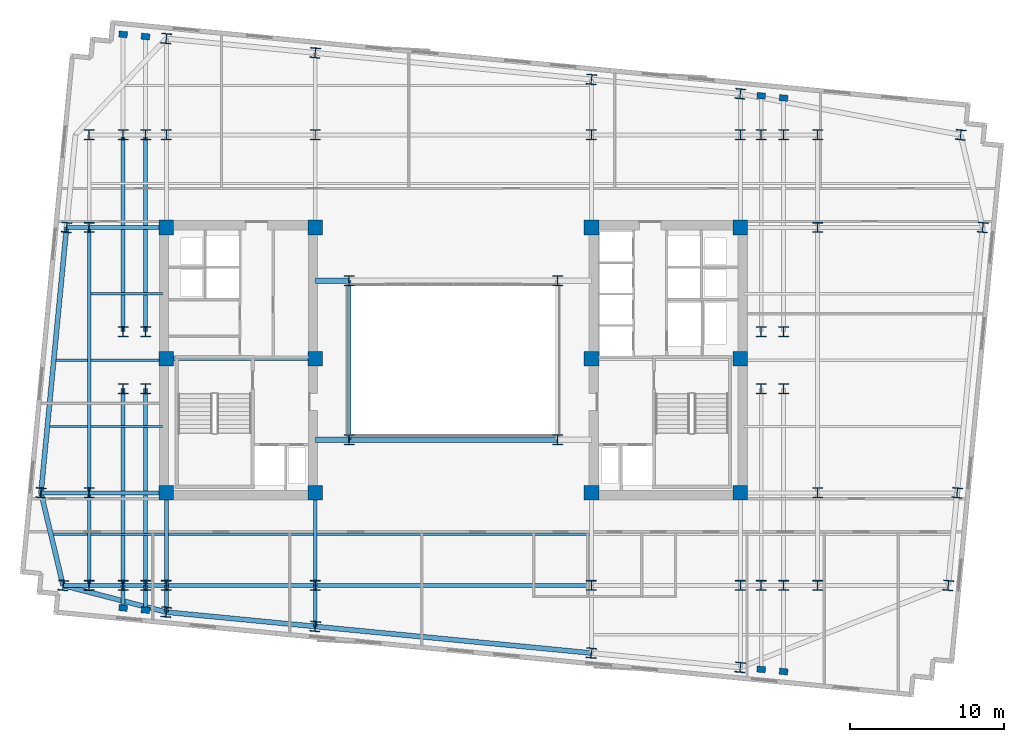
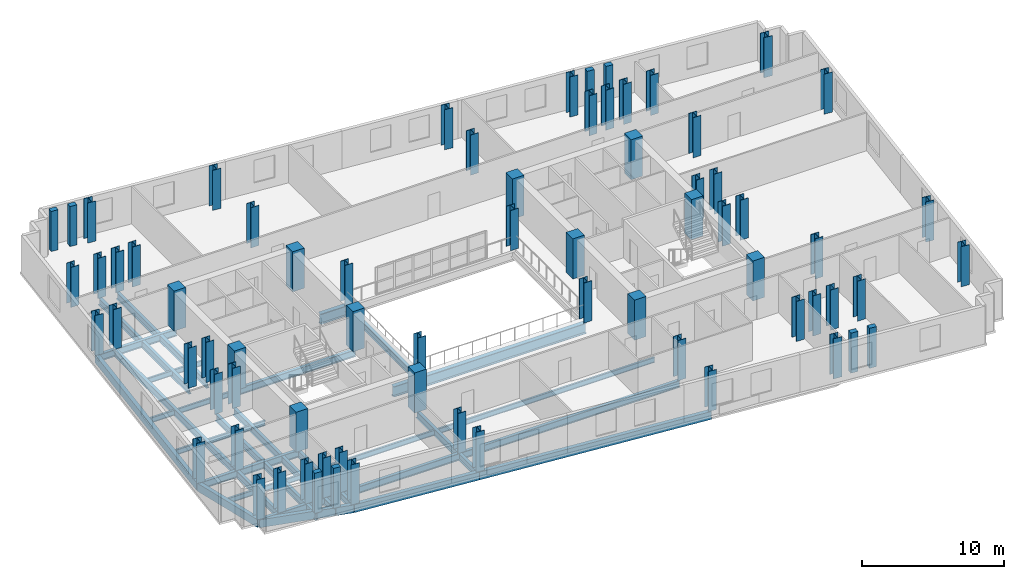
# One storey, part 1 of 10: 71 columns, 39 beams.
"""IFC4 building model written with IfcOpenShell, lengths in metres."""

from ifc_helpers import new_model, si_unit, direction, frame, origin, origin_2d, place, context, subcontext, project, spatial, rectangle, i_section, extrude, material, material_profile, profile_set, type_object, element, save


model = new_model("IFC4")

# Units and contexts
model_context = context("Model", 3, precision=1e-05, world=origin(), true_north=direction((0.0, 1.0)))
body_context = subcontext(model_context, "Body", "Model", "MODEL_VIEW")
ifc_project = project(units=[si_unit("LENGTHUNIT", "METRE"), si_unit("AREAUNIT", "SQUARE_METRE"), si_unit("VOLUMEUNIT", "CUBIC_METRE"), si_unit("PLANEANGLEUNIT", "RADIAN"), si_unit("MASSUNIT", "GRAM", prefix="KILO")], contexts=[model_context])

# Site, building, storey
site_placement = place(None, origin())
site = spatial("IfcSite", under=ifc_project, at=site_placement, CompositionType="ELEMENT")
building_placement = place(site_placement, origin())
building = spatial("IfcBuilding", under=site, at=building_placement, Name="Velakula Bourse", CompositionType="ELEMENT")
storey_placement = place(building_placement, frame((0.0, 0.0, 174.199951171875)))
storey = spatial("IfcBuildingStorey", under=building, at=storey_placement, Name="L47", CompositionType="ELEMENT", Elevation=174.199951171875)

# Columns
ifc_material_1 = material(Name="Concrete M70 (fck 70 MPa)", Category="concrete")
ifc_material_profile_1 = material_profile(ifc_material_1, rectangle(XDim=0.949951171875, YDim=0.949951171875, at=origin_2d()), Name="Concrete M70 (fck 70 MPa)")
ifc_profile_set_1 = profile_set([ifc_material_profile_1], Name="Concrete M70 (fck 70 MPa)")
column_type_1 = type_object("IfcColumnType", Name="COL-RC-950", PredefinedType="COLUMN", material=ifc_profile_set_1)
for number, where, z_axis, x_axis, name in (
    (1, (-8.949951171875, -8.60009765625, 0.0), (0.0, 0.0, 1.0), (1.0, 0.0, 0.0), "L47 Core Boundary Column 01"),
    (2, (-8.949951171875, 0.10009765625, 0.0), (0.0, 0.0, 1.0), (1.0, 0.0, 0.0), "L47 Core Boundary Column 02"),
    (3, (-8.949951171875, 8.60009765625, 0.0), (0.0, 0.0, 1.0), (1.0, 0.0, 0.0), "L47 Core Boundary Column 03"),
    (4, (-18.60009765625, -8.60009765625, 0.0), (0.0, 0.0, 1.0), (1.0, 0.0, 0.0), "L47 Core Boundary Column 04"),
    (5, (-18.60009765625, 0.10009765625, 0.0), (0.0, 0.0, 1.0), (1.0, 0.0, 0.0), "L47 Core Boundary Column 05"),
    (6, (-18.60009765625, 8.60009765625, 0.0), (0.0, 0.0, 1.0), (1.0, 0.0, 0.0), "L47 Core Boundary Column 06"),
    (7, (8.949951171875, -8.60009765625, 0.0), (0.0, 0.0, 1.0), (1.0, 0.0, 0.0), "L47 Core Boundary Column 07"),
    (8, (8.949951171875, 0.10009765625, 0.0), (0.0, 0.0, 1.0), (1.0, 0.0, 0.0), "L47 Core Boundary Column 08"),
    (9, (8.949951171875, 8.60009765625, 0.0), (0.0, 0.0, 1.0), (1.0, 0.0, 0.0), "L47 Core Boundary Column 09"),
    (10, (18.60009765625, -8.60009765625, 0.0), (0.0, 0.0, 1.0), (1.0, 0.0, 0.0), "L47 Core Boundary Column 10"),
    (11, (18.60009765625, 0.10009765625, 0.0), (0.0, 0.0, 1.0), (1.0, 0.0, 0.0), "L47 Core Boundary Column 11"),
    (12, (18.60009765625, 8.60009765625, 0.0), (0.0, 0.0, 1.0), (1.0, 0.0, 0.0), "L47 Core Boundary Column 12"),
):
    element("IfcColumn", number, at=place(storey_placement, frame(where, z_axis=z_axis, x_axis=x_axis)), inside=storey, type_object=column_type_1, Name=name, PredefinedType="COLUMN", context=body_context, shape_type="SweptSolid", body=[
        extrude(rectangle(XDim=0.949951171875, YDim=0.949951171875, at=origin_2d()), origin(), (0.0, 0.0, 1.0), 3.449951171875),
    ])
ifc_material_2 = material(Name="Steel IS 2062 Grade 350 (E350)", Category="steel")
ifc_material_profile_2 = material_profile(ifc_material_2, i_section(OverallWidth=0.64990234375, OverallDepth=0.64990234375, WebThickness=0.028076171875, FlangeThickness=0.0400390625, at=origin_2d()), Name="Steel IS 2062 Grade 350 (E350)")
ifc_profile_set_2 = profile_set([ifc_material_profile_2], Name="Steel IS 2062 Grade 350 (E350)")
column_type_2 = type_object("IfcColumnType", Name="COL-STL-650", PredefinedType="COLUMN", material=ifc_profile_set_2)
for number, where, z_axis, x_axis, name in (
    (13, (-6.75, -5.14990234375, 0.0), (0.0, 0.0, 1.0), (1.0, 0.0, 0.0), "L47 Central Spine Column 01"),
    (14, (-6.75, 5.14990234375, 0.0), (0.0, 0.0, 1.0), (1.0, 0.0, 0.0), "L47 Central Spine Column 02"),
    (15, (6.75, -5.14990234375, 0.0), (0.0, 0.0, 1.0), (1.0, 0.0, 0.0), "L47 Central Spine Column 03"),
    (16, (6.75, 5.14990234375, 0.0), (0.0, 0.0, 1.0), (1.0, 0.0, 0.0), "L47 Central Spine Column 04"),
    (17, (-21.39990234375, -14.60009765625, 0.0), (0.0, 0.0, 1.0), (1.0, 0.0, 0.0), "L47 Tower Fulcrum Column 01"),
    (18, (-21.39990234375, 14.60009765625, 0.0), (0.0, 0.0, 1.0), (1.0, 0.0, 0.0), "L47 Tower Fulcrum Column 02"),
    (19, (-19.949951171875, -14.60009765625, 0.0), (0.0, 0.0, 1.0), (1.0, 0.0, 0.0), "L47 Tower Fulcrum Column 03"),
    (20, (-19.949951171875, 14.60009765625, 0.0), (0.0, 0.0, 1.0), (1.0, 0.0, 0.0), "L47 Tower Fulcrum Column 04"),
    (21, (-18.60009765625, -14.60009765625, 0.0), (0.0, 0.0, 1.0), (1.0, 0.0, 0.0), "L47 Tower Fulcrum Column 05"),
    (22, (-18.60009765625, 14.60009765625, 0.0), (0.0, 0.0, 1.0), (1.0, 0.0, 0.0), "L47 Tower Fulcrum Column 06"),
    (23, (-8.949951171875, -14.60009765625, 0.0), (0.0, 0.0, 1.0), (1.0, 0.0, 0.0), "L47 Tower Fulcrum Column 07"),
    (24, (-8.949951171875, 14.60009765625, 0.0), (0.0, 0.0, 1.0), (1.0, 0.0, 0.0), "L47 Tower Fulcrum Column 08"),
    (25, (8.949951171875, -14.60009765625, 0.0), (0.0, 0.0, 1.0), (1.0, 0.0, 0.0), "L47 Tower Fulcrum Column 09"),
    (26, (8.949951171875, 14.60009765625, 0.0), (0.0, 0.0, 1.0), (1.0, 0.0, 0.0), "L47 Tower Fulcrum Column 10"),
    (27, (18.60009765625, -14.60009765625, 0.0), (0.0, 0.0, 1.0), (1.0, 0.0, 0.0), "L47 Tower Fulcrum Column 11"),
    (28, (18.60009765625, 14.60009765625, 0.0), (0.0, 0.0, 1.0), (1.0, 0.0, 0.0), "L47 Tower Fulcrum Column 12"),
    (29, (19.949951171875, -14.60009765625, 0.0), (0.0, 0.0, 1.0), (1.0, 0.0, 0.0), "L47 Tower Fulcrum Column 13"),
    (30, (19.949951171875, 14.60009765625, 0.0), (0.0, 0.0, 1.0), (1.0, 0.0, 0.0), "L47 Tower Fulcrum Column 14"),
    (31, (21.39990234375, -14.60009765625, 0.0), (0.0, 0.0, 1.0), (1.0, 0.0, 0.0), "L47 Tower Fulcrum Column 15"),
    (32, (21.39990234375, 14.60009765625, 0.0), (0.0, 0.0, 1.0), (1.0, 0.0, 0.0), "L47 Tower Fulcrum Column 16"),
    (33, (-21.39990234375, -1.85009765625, 0.0), (0.0, 0.0, 1.0), (1.0, 0.0, 0.0), "L47 Tower Fulcrum Column 17"),
    (34, (-21.39990234375, 1.85009765625, 0.0), (0.0, 0.0, 1.0), (1.0, 0.0, 0.0), "L47 Tower Fulcrum Column 18"),
    (35, (-19.949951171875, -1.85009765625, 0.0), (0.0, 0.0, 1.0), (1.0, 0.0, 0.0), "L47 Tower Fulcrum Column 19"),
    (36, (-19.949951171875, 1.85009765625, 0.0), (0.0, 0.0, 1.0), (1.0, 0.0, 0.0), "L47 Tower Fulcrum Column 20"),
    (37, (19.949951171875, -1.85009765625, 0.0), (0.0, 0.0, 1.0), (1.0, 0.0, 0.0), "L47 Tower Fulcrum Column 21"),
    (38, (19.949951171875, 1.85009765625, 0.0), (0.0, 0.0, 1.0), (1.0, 0.0, 0.0), "L47 Tower Fulcrum Column 22"),
    (39, (21.39990234375, -1.85009765625, 0.0), (0.0, 0.0, 1.0), (1.0, 0.0, 0.0), "L47 Tower Fulcrum Column 23"),
    (40, (21.39990234375, 1.85009765625, 0.0), (0.0, 0.0, 1.0), (1.0, 0.0, 0.0), "L47 Tower Fulcrum Column 24"),
    (41, (-23.60009765625, -14.60009765625, 0.0), (0.0, 0.0, 1.0), (1.0, 0.0, 0.0), "L47 Mid-Wing Plumb Column 01"),
    (42, (-23.60009765625, -8.60009765625, 0.0), (0.0, 0.0, 1.0), (1.0, 0.0, 0.0), "L47 Mid-Wing Plumb Column 02"),
    (43, (-23.60009765625, 8.60009765625, 0.0), (0.0, 0.0, 1.0), (1.0, 0.0, 0.0), "L47 Mid-Wing Plumb Column 03"),
    (44, (-23.60009765625, 14.60009765625, 0.0), (0.0, 0.0, 1.0), (1.0, 0.0, 0.0), "L47 Mid-Wing Plumb Column 04"),
    (45, (23.60009765625, -14.60009765625, 0.0), (0.0, 0.0, 1.0), (1.0, 0.0, 0.0), "L47 Mid-Wing Plumb Column 05"),
    (46, (23.60009765625, -8.60009765625, 0.0), (0.0, 0.0, 1.0), (1.0, 0.0, 0.0), "L47 Mid-Wing Plumb Column 06"),
    (47, (23.60009765625, 8.60009765625, 0.0), (0.0, 0.0, 1.0), (1.0, 0.0, 0.0), "L47 Mid-Wing Plumb Column 07"),
    (48, (23.60009765625, 14.60009765625, 0.0), (0.0, 0.0, 1.0), (1.0, 0.0, 0.0), "L47 Mid-Wing Plumb Column 08"),
    (49, (-18.60009765625, -16.32861328125, 0.0), (0.0, 0.0, 1.0), (0.995396198367, -0.09584575252, 0.0), "L47 Block B4 Perimeter Column S1"),
    (50, (-8.949951171875, -17.2578125, 0.0), (0.0, 0.0, 1.0), (0.995396198367, -0.09584575252, 0.0), "L47 Block B4 Perimeter Column S2"),
    (51, (8.949951171875, -18.9814453125, 0.0), (0.0, 0.0, 1.0), (0.995396198367, -0.09584575252, 0.0), "L47 Block B4 Perimeter Column S3"),
    (52, (18.60009765625, -19.91064453125, 0.0), (0.0, 0.0, 1.0), (0.995396198367, -0.09584575252, 0.0), "L47 Block B4 Perimeter Column S4"),
    (53, (-18.60009765625, 20.84228515625, 0.0), (0.0, 0.0, 1.0), (0.995396198367, -0.09584575252, 0.0), "L47 Block B4 Perimeter Column N1"),
    (54, (-8.949951171875, 19.9130859375, 0.0), (0.0, 0.0, 1.0), (0.995396198367, -0.09584575252, 0.0), "L47 Block B4 Perimeter Column N2"),
    (55, (8.949951171875, 18.189697265625, 0.0), (0.0, 0.0, 1.0), (0.995396198367, -0.09584575252, 0.0), "L47 Block B4 Perimeter Column N3"),
    (56, (18.60009765625, 17.260498046875, 0.0), (0.0, 0.0, 1.0), (0.995396198367, -0.09584575252, 0.0), "L47 Block B4 Perimeter Column N4"),
    (57, (-25.29296875, -14.60009765625, 0.0), (0.0, 0.0, 1.0), (0.995396198367, -0.09584575252, 0.0), "L47 Block B4 Perimeter Column W1"),
    (58, (-26.724365234375, -8.60009765625, 0.0), (0.0, 0.0, 1.0), (0.995396198367, -0.09584575252, 0.0), "L47 Block B4 Perimeter Column W2"),
    (59, (-25.068115234375, 8.60009765625, 0.0), (0.0, 0.0, 1.0), (0.995396198367, -0.09584575252, 0.0), "L47 Block B4 Perimeter Column W3"),
    (60, (32.0712890625, -14.60009765625, 0.0), (0.0, 0.0, 1.0), (0.995396198367, -0.09584575252, 0.0), "L47 Block B4 Perimeter Column E1"),
    (61, (32.64892578125, -8.60009765625, 0.0), (0.0, 0.0, 1.0), (0.995396198367, -0.09584575252, 0.0), "L47 Block B4 Perimeter Column E2"),
    (62, (34.30517578125, 8.60009765625, 0.0), (0.0, 0.0, 1.0), (0.995396198367, -0.09584575252, 0.0), "L47 Block B4 Perimeter Column E3"),
    (63, (32.87353515625, 14.60009765625, 0.0), (0.0, 0.0, 1.0), (0.995396198367, -0.09584575252, 0.0), "L47 Block B4 Perimeter Column E4"),
):
    element("IfcColumn", number, at=place(storey_placement, frame(where, z_axis=z_axis, x_axis=x_axis)), inside=storey, type_object=column_type_2, Name=name, PredefinedType="COLUMN", context=body_context, shape_type="SweptSolid", body=[
        extrude(i_section(OverallWidth=0.64990234375, OverallDepth=0.64990234375, WebThickness=0.028076171875, FlangeThickness=0.0400390625, at=origin_2d()), origin(), (0.0, 0.0, 1.0), 3.449951171875),
    ])
ifc_material_3 = material(Name="Precast concrete M45 (fck 45 MPa)", Category="concrete")
ifc_material_profile_3 = material_profile(ifc_material_3, rectangle(XDim=0.550048828125, YDim=0.39990234375, at=origin_2d()), Name="Precast concrete M45 (fck 45 MPa)")
ifc_profile_set_3 = profile_set([ifc_material_profile_3], Name="Precast concrete M45 (fck 45 MPa)")
column_type_3 = type_object("IfcColumnType", Name="PIL-BRICK-550", PredefinedType="PILASTER", material=ifc_profile_set_3)
for number, where, z_axis, x_axis, name in (
    (64, (-21.39990234375, -16.05908203125, 0.0), (0.0, 0.0, 1.0), (0.995396198367, -0.09584575252, 0.0), "L47 Brick Pier Pilaster 01"),
    (65, (-19.949951171875, -16.19873046875, 0.0), (0.0, 0.0, 1.0), (0.995396198367, -0.09584575252, 0.0), "L47 Brick Pier Pilaster 02"),
    (66, (19.949951171875, -20.04052734375, 0.0), (0.0, 0.0, 1.0), (0.995396198367, -0.09584575252, 0.0), "L47 Brick Pier Pilaster 03"),
    (67, (21.39990234375, -20.180419921875, 0.0), (0.0, 0.0, 1.0), (0.995396198367, -0.09584575252, 0.0), "L47 Brick Pier Pilaster 04"),
    (68, (-21.39990234375, 21.112060546875, 0.0), (0.0, 0.0, 1.0), (0.995396198367, -0.09584575252, 0.0), "L47 Brick Pier Pilaster 05"),
    (69, (-19.949951171875, 20.972412109375, 0.0), (0.0, 0.0, 1.0), (0.995396198367, -0.09584575252, 0.0), "L47 Brick Pier Pilaster 06"),
    (70, (19.949951171875, 17.130615234375, 0.0), (0.0, 0.0, 1.0), (0.995396198367, -0.09584575252, 0.0), "L47 Brick Pier Pilaster 07"),
    (71, (21.39990234375, 16.990966796875, 0.0), (0.0, 0.0, 1.0), (0.995396198367, -0.09584575252, 0.0), "L47 Brick Pier Pilaster 08"),
):
    element("IfcColumn", number, at=place(storey_placement, frame(where, z_axis=z_axis, x_axis=x_axis)), inside=storey, type_object=column_type_3, Name=name, PredefinedType="PILASTER", context=body_context, shape_type="SweptSolid", body=[
        extrude(rectangle(XDim=0.550048828125, YDim=0.39990234375, at=origin_2d()), origin(), (0.0, 0.0, 1.0), 3.449951171875),
    ])

# Beams
ifc_material_profile_4 = material_profile(ifc_material_2, i_section(OverallWidth=0.25, OverallDepth=0.60009765625, WebThickness=0.01123046875, FlangeThickness=0.021240234375, at=origin_2d()), Name="Steel IS 2062 Grade 350 (E350)")
ifc_profile_set_4 = profile_set([ifc_material_profile_4], Name="Steel IS 2062 Grade 350 (E350)")
beam_type_1 = type_object("IfcBeamType", Name="BM-GRD-600M", PredefinedType="BEAM", material=ifc_profile_set_4)
beam_1_placement = place(storey_placement, frame((-18.60009765625, 0.10009765625, -0.47998046875), z_axis=(1.0, 0.0, 0.0), x_axis=(0.0, 1.0, 0.0)))
element("IfcBeam", 72, at=beam_1_placement, inside=storey, type_object=beam_type_1, Name="L47 Primary Backbone Girder CRW-M", PredefinedType="BEAM", context=body_context, shape_type="SweptSolid", body=[
    extrude(i_section(OverallWidth=0.25, OverallDepth=0.60009765625, WebThickness=0.01123046875, FlangeThickness=0.021240234375, at=origin_2d()), origin(), (0.0, 0.0, 1.0), 9.650146484375),
])
beam_2_placement = place(storey_placement, frame((-6.75, -5.14990234375, -0.47998046875), z_axis=(0.0, 1.0, 0.0), x_axis=(-1.0, 0.0, 0.0)))
element("IfcBeam", 73, at=beam_2_placement, inside=storey, type_object=beam_type_1, Name="L47 Primary Backbone Girder SPN-W", PredefinedType="BEAM", context=body_context, shape_type="SweptSolid", body=[
    extrude(i_section(OverallWidth=0.25, OverallDepth=0.60009765625, WebThickness=0.01123046875, FlangeThickness=0.021240234375, at=origin_2d()), origin(), (0.0, 0.0, 1.0), 10.2998046875),
])
for number, where, z_axis, x_axis, name in (
    (74, (-18.60009765625, -14.60009765625, -0.47998046875), (0.0, 1.0, 0.0), (-1.0, 0.0, 0.0), "L47 Fulcrum Grid Girder FLC-WS"),
    (75, (-8.949951171875, -14.60009765625, -0.47998046875), (0.0, 1.0, 0.0), (-1.0, 0.0, 0.0), "L47 Fulcrum Grid Girder FLC-WCS"),
):
    element("IfcBeam", number, at=place(storey_placement, frame(where, z_axis=z_axis, x_axis=x_axis)), inside=storey, type_object=beam_type_1, Name=name, PredefinedType="BEAM", context=body_context, shape_type="SweptSolid", body=[
        extrude(i_section(OverallWidth=0.25, OverallDepth=0.60009765625, WebThickness=0.01123046875, FlangeThickness=0.021240234375, at=origin_2d()), origin(), (0.0, 0.0, 1.0), 6.0),
    ])
beam_3_placement = place(storey_placement, frame((-18.60009765625, -14.60009765625, -0.47998046875), z_axis=(1.0, 0.0, 0.0), x_axis=(0.0, 1.0, 0.0)))
element("IfcBeam", 76, at=beam_3_placement, inside=storey, type_object=beam_type_1, Name="L47 Fulcrum Grid Girder FLC-S1", PredefinedType="BEAM", context=body_context, shape_type="SweptSolid", body=[
    extrude(i_section(OverallWidth=0.25, OverallDepth=0.60009765625, WebThickness=0.01123046875, FlangeThickness=0.021240234375, at=origin_2d()), origin(), (0.0, 0.0, 1.0), 9.650146484375),
])
beam_4_placement = place(storey_placement, frame((-8.949951171875, -14.60009765625, -0.47998046875), z_axis=(1.0, 0.0, 0.0), x_axis=(0.0, 1.0, 0.0)))
element("IfcBeam", 77, at=beam_4_placement, inside=storey, type_object=beam_type_1, Name="L47 Fulcrum Grid Girder FLC-S2", PredefinedType="BEAM", context=body_context, shape_type="SweptSolid", body=[
    extrude(i_section(OverallWidth=0.25, OverallDepth=0.60009765625, WebThickness=0.01123046875, FlangeThickness=0.021240234375, at=origin_2d()), origin(), (0.0, 0.0, 1.0), 17.89990234375),
])
for number, where, z_axis, x_axis, name in (
    (78, (-21.39990234375, -14.60009765625, -0.47998046875), (0.0, 1.0, 0.0), (-1.0, 0.0, 0.0), "L47 Fulcrum Grid Girder FLC-PSW1"),
    (79, (-21.39990234375, 1.85009765625, -0.47998046875), (0.0, 1.0, 0.0), (-1.0, 0.0, 0.0), "L47 Fulcrum Grid Girder FLC-PNW1"),
    (80, (-19.949951171875, -14.60009765625, -0.47998046875), (0.0, 1.0, 0.0), (-1.0, 0.0, 0.0), "L47 Fulcrum Grid Girder FLC-PSW2"),
    (81, (-19.949951171875, 1.85009765625, -0.47998046875), (0.0, 1.0, 0.0), (-1.0, 0.0, 0.0), "L47 Fulcrum Grid Girder FLC-PNW2"),
):
    element("IfcBeam", number, at=place(storey_placement, frame(where, z_axis=z_axis, x_axis=x_axis)), inside=storey, type_object=beam_type_1, Name=name, PredefinedType="BEAM", context=body_context, shape_type="SweptSolid", body=[
        extrude(i_section(OverallWidth=0.25, OverallDepth=0.60009765625, WebThickness=0.01123046875, FlangeThickness=0.021240234375, at=origin_2d()), origin(), (0.0, 0.0, 1.0), 12.75),
    ])
for number, where, z_axis, x_axis, name in (
    (82, (-23.60009765625, -14.60009765625, -0.47998046875), (1.0, 0.0, 0.0), (0.0, 1.0, 0.0), "L47 Fulcrum Grid Girder MWG-WS1"),
    (83, (-23.60009765625, -8.60009765625, -0.47998046875), (1.0, 0.0, 0.0), (0.0, 1.0, 0.0), "L47 Fulcrum Grid Girder MWG-WS2"),
    (84, (-23.60009765625, 8.60009765625, -0.47998046875), (1.0, 0.0, 0.0), (0.0, 1.0, 0.0), "L47 Fulcrum Grid Girder MWG-WN1"),
):
    element("IfcBeam", number, at=place(storey_placement, frame(where, z_axis=z_axis, x_axis=x_axis)), inside=storey, type_object=beam_type_1, Name=name, PredefinedType="BEAM", context=body_context, shape_type="SweptSolid", body=[
        extrude(i_section(OverallWidth=0.25, OverallDepth=0.60009765625, WebThickness=0.01123046875, FlangeThickness=0.021240234375, at=origin_2d()), origin(), (0.0, 0.0, 1.0), 5.0),
    ])
beam_5_placement = place(storey_placement, frame((-23.60009765625, -14.60009765625, -0.47998046875), z_axis=(0.0, 1.0, 0.0), x_axis=(-1.0, 0.0, 0.0)))
element("IfcBeam", 85, at=beam_5_placement, inside=storey, type_object=beam_type_1, Name="L47 Fulcrum Grid Girder MWG-WNS1", PredefinedType="BEAM", context=body_context, shape_type="SweptSolid", body=[
    extrude(i_section(OverallWidth=0.25, OverallDepth=0.60009765625, WebThickness=0.01123046875, FlangeThickness=0.021240234375, at=origin_2d()), origin(), (0.0, 0.0, 1.0), 6.0),
])
beam_6_placement = place(storey_placement, frame((-23.60009765625, -8.60009765625, -0.47998046875), z_axis=(0.0, 1.0, 0.0), x_axis=(-1.0, 0.0, 0.0)))
element("IfcBeam", 86, at=beam_6_placement, inside=storey, type_object=beam_type_1, Name="L47 Fulcrum Grid Girder MWG-WNS2", PredefinedType="BEAM", context=body_context, shape_type="SweptSolid", body=[
    extrude(i_section(OverallWidth=0.25, OverallDepth=0.60009765625, WebThickness=0.01123046875, FlangeThickness=0.021240234375, at=origin_2d()), origin(), (0.0, 0.0, 1.0), 17.2001953125),
])
beam_7_placement = place(storey_placement, frame((-18.60009765625, -14.60009765625, -0.47998046875), z_axis=(0.0, -1.0, 0.0), x_axis=(1.0, 0.0, 0.0)))
element("IfcBeam", 87, at=beam_7_placement, inside=storey, type_object=beam_type_1, Name="L47 Perimeter Tie Girder S1", PredefinedType="BEAM", context=body_context, shape_type="SweptSolid", body=[
    extrude(i_section(OverallWidth=0.25, OverallDepth=0.60009765625, WebThickness=0.01123046875, FlangeThickness=0.021240234375, at=origin_2d()), origin(), (0.0, 0.0, 1.0), 1.728515625),
])
beam_8_placement = place(storey_placement, frame((-8.949951171875, -14.60009765625, -0.47998046875), z_axis=(0.0, -1.0, 0.0), x_axis=(1.0, 0.0, 0.0)))
element("IfcBeam", 88, at=beam_8_placement, inside=storey, type_object=beam_type_1, Name="L47 Perimeter Tie Girder S2", PredefinedType="BEAM", context=body_context, shape_type="SweptSolid", body=[
    extrude(i_section(OverallWidth=0.25, OverallDepth=0.60009765625, WebThickness=0.01123046875, FlangeThickness=0.021240234375, at=origin_2d()), origin(), (0.0, 0.0, 1.0), 2.65771484375),
])
beam_9_placement = place(storey_placement, frame((-23.60009765625, -14.60009765625, -0.47998046875), z_axis=(-1.0, 0.0, 0.0), x_axis=(0.0, -1.0, 0.0)))
element("IfcBeam", 89, at=beam_9_placement, inside=storey, type_object=beam_type_1, Name="L47 Perimeter Tie Girder W1", PredefinedType="BEAM", context=body_context, shape_type="SweptSolid", body=[
    extrude(i_section(OverallWidth=0.25, OverallDepth=0.60009765625, WebThickness=0.01123046875, FlangeThickness=0.021240234375, at=origin_2d()), origin(), (0.0, 0.0, 1.0), 1.69287109375),
])
beam_10_placement = place(storey_placement, frame((-23.60009765625, -8.60009765625, -0.47998046875), z_axis=(-1.0, 0.0, 0.0), x_axis=(0.0, -1.0, 0.0)))
element("IfcBeam", 90, at=beam_10_placement, inside=storey, type_object=beam_type_1, Name="L47 Perimeter Tie Girder W2", PredefinedType="BEAM", context=body_context, shape_type="SweptSolid", body=[
    extrude(i_section(OverallWidth=0.25, OverallDepth=0.60009765625, WebThickness=0.01123046875, FlangeThickness=0.021240234375, at=origin_2d()), origin(), (0.0, 0.0, 1.0), 3.124267578125),
])
beam_11_placement = place(storey_placement, frame((-23.60009765625, 8.60009765625, -0.47998046875), z_axis=(-1.0, 0.0, 0.0), x_axis=(0.0, -1.0, 0.0)))
element("IfcBeam", 91, at=beam_11_placement, inside=storey, type_object=beam_type_1, Name="L47 Perimeter Tie Girder W3", PredefinedType="BEAM", context=body_context, shape_type="SweptSolid", body=[
    extrude(i_section(OverallWidth=0.25, OverallDepth=0.60009765625, WebThickness=0.01123046875, FlangeThickness=0.021240234375, at=origin_2d()), origin(), (0.0, 0.0, 1.0), 1.468017578125),
])
beam_12_placement = place(storey_placement, frame((-21.39990234375, -14.60009765625, -0.47998046875), z_axis=(0.0, -1.0, 0.0), x_axis=(1.0, 0.0, 0.0)))
element("IfcBeam", 92, at=beam_12_placement, inside=storey, type_object=beam_type_1, Name="L47 Perimeter Tie Girder P01", PredefinedType="BEAM", context=body_context, shape_type="SweptSolid", body=[
    extrude(i_section(OverallWidth=0.25, OverallDepth=0.60009765625, WebThickness=0.01123046875, FlangeThickness=0.021240234375, at=origin_2d()), origin(), (0.0, 0.0, 1.0), 1.458984375),
])
beam_13_placement = place(storey_placement, frame((-19.949951171875, -14.60009765625, -0.47998046875), z_axis=(0.0, -1.0, 0.0), x_axis=(1.0, 0.0, 0.0)))
element("IfcBeam", 93, at=beam_13_placement, inside=storey, type_object=beam_type_1, Name="L47 Perimeter Tie Girder P02", PredefinedType="BEAM", context=body_context, shape_type="SweptSolid", body=[
    extrude(i_section(OverallWidth=0.25, OverallDepth=0.60009765625, WebThickness=0.01123046875, FlangeThickness=0.021240234375, at=origin_2d()), origin(), (0.0, 0.0, 1.0), 1.5986328125),
])
ifc_material_profile_5 = material_profile(ifc_material_2, i_section(OverallWidth=0.35009765625, OverallDepth=0.89990234375, WebThickness=0.02001953125, FlangeThickness=0.031982421875, at=origin_2d()), Name="Steel IS 2062 Grade 350 (E350)")
ifc_profile_set_5 = profile_set([ifc_material_profile_5], Name="Steel IS 2062 Grade 350 (E350)")
beam_type_2 = type_object("IfcBeamType", Name="BM-LNK-900", PredefinedType="BEAM", material=ifc_profile_set_5)
beam_14_placement = place(storey_placement, frame((-8.949951171875, -5.14990234375, -0.6298828125), z_axis=(1.0, 0.0, 0.0), x_axis=(0.0, 1.0, 0.0)))
element("IfcBeam", 94, at=beam_14_placement, inside=storey, type_object=beam_type_2, Name="L47 Primary Backbone Girder LNK-S1", PredefinedType="BEAM", context=body_context, shape_type="SweptSolid", body=[
    extrude(i_section(OverallWidth=0.35009765625, OverallDepth=0.89990234375, WebThickness=0.02001953125, FlangeThickness=0.031982421875, at=origin_2d()), origin(), (0.0, 0.0, 1.0), 2.199951171875),
])
beam_15_placement = place(storey_placement, frame((-6.75, -5.14990234375, -0.6298828125), z_axis=(1.0, 0.0, 0.0), x_axis=(0.0, 1.0, 0.0)))
element("IfcBeam", 95, at=beam_15_placement, inside=storey, type_object=beam_type_2, Name="L47 Primary Backbone Girder LNK-S2", PredefinedType="BEAM", context=body_context, shape_type="SweptSolid", body=[
    extrude(i_section(OverallWidth=0.35009765625, OverallDepth=0.89990234375, WebThickness=0.02001953125, FlangeThickness=0.031982421875, at=origin_2d()), origin(), (0.0, 0.0, 1.0), 13.5),
])
beam_16_placement = place(storey_placement, frame((-8.949951171875, 5.14990234375, -0.6298828125), z_axis=(1.0, 0.0, 0.0), x_axis=(0.0, 1.0, 0.0)))
element("IfcBeam", 96, at=beam_16_placement, inside=storey, type_object=beam_type_2, Name="L47 Primary Backbone Girder LNK-N1", PredefinedType="BEAM", context=body_context, shape_type="SweptSolid", body=[
    extrude(i_section(OverallWidth=0.35009765625, OverallDepth=0.89990234375, WebThickness=0.02001953125, FlangeThickness=0.031982421875, at=origin_2d()), origin(), (0.0, 0.0, 1.0), 2.199951171875),
])
ifc_material_profile_6 = material_profile(ifc_material_2, i_section(OverallWidth=0.14990234375, OverallDepth=0.449951171875, WebThickness=0.009521484375, FlangeThickness=0.017333984375, at=origin_2d()), Name="Steel IS 2062 Grade 350 (E350)")
ifc_profile_set_6 = profile_set([ifc_material_profile_6], Name="Steel IS 2062 Grade 350 (E350)")
beam_type_3 = type_object("IfcBeamType", Name="JST-TWR-450", PredefinedType="JOIST", material=ifc_profile_set_6)
beam_17_placement = place(storey_placement, frame((-25.915771484375, -11.300048828125, -0.405029296875), z_axis=(1.0, 0.0, 0.0), x_axis=(0.0, 1.0, 0.0)))
element("IfcBeam", 97, at=beam_17_placement, inside=storey, type_object=beam_type_3, Name="L47 Trading Floor Composite Joist 04", PredefinedType="JOIST", context=body_context, shape_type="SweptSolid", body=[
    extrude(i_section(OverallWidth=0.14990234375, OverallDepth=0.449951171875, WebThickness=0.009521484375, FlangeThickness=0.017333984375, at=origin_2d()), origin(), (0.0, 0.0, 1.0), 2.190673828125),
])
beam_18_placement = place(storey_placement, frame((-23.47509765625, -11.300048828125, -0.405029296875), z_axis=(1.0, 0.0, 0.0), x_axis=(0.0, 1.0, 0.0)))
element("IfcBeam", 98, at=beam_18_placement, inside=storey, type_object=beam_type_3, Name="L47 Trading Floor Composite Joist 05", PredefinedType="JOIST", context=body_context, shape_type="SweptSolid", body=[
    extrude(i_section(OverallWidth=0.14990234375, OverallDepth=0.449951171875, WebThickness=0.009521484375, FlangeThickness=0.017333984375, at=origin_2d()), origin(), (0.0, 0.0, 1.0), 4.75),
])
beam_19_placement = place(storey_placement, frame((-18.47509765625, -11.300048828125, -0.405029296875), z_axis=(1.0, 0.0, 0.0), x_axis=(0.0, 1.0, 0.0)))
element("IfcBeam", 99, at=beam_19_placement, inside=storey, type_object=beam_type_3, Name="L47 Trading Floor Composite Joist 06", PredefinedType="JOIST", context=body_context, shape_type="SweptSolid", body=[
    extrude(i_section(OverallWidth=0.14990234375, OverallDepth=0.449951171875, WebThickness=0.009521484375, FlangeThickness=0.017333984375, at=origin_2d()), origin(), (0.0, 0.0, 1.0), 9.400146484375),
])
beam_20_placement = place(storey_placement, frame((-8.824951171875, -11.300048828125, -0.405029296875), z_axis=(1.0, 0.0, 0.0), x_axis=(0.0, 1.0, 0.0)))
element("IfcBeam", 100, at=beam_20_placement, inside=storey, type_object=beam_type_3, Name="L47 Trading Floor Composite Joist 07", PredefinedType="JOIST", context=body_context, shape_type="SweptSolid", body=[
    extrude(i_section(OverallWidth=0.14990234375, OverallDepth=0.449951171875, WebThickness=0.009521484375, FlangeThickness=0.017333984375, at=origin_2d()), origin(), (0.0, 0.0, 1.0), 17.64990234375),
])
beam_21_placement = place(storey_placement, frame((-26.149658203125, -4.300048828125, -0.405029296875), z_axis=(1.0, 0.0, 0.0), x_axis=(0.0, 1.0, 0.0)))
element("IfcBeam", 101, at=beam_21_placement, inside=storey, type_object=beam_type_3, Name="L47 Trading Floor Composite Joist 21", PredefinedType="JOIST", context=body_context, shape_type="SweptSolid", body=[
    extrude(i_section(OverallWidth=0.14990234375, OverallDepth=0.449951171875, WebThickness=0.009521484375, FlangeThickness=0.017333984375, at=origin_2d()), origin(), (0.0, 0.0, 1.0), 2.424560546875),
])
beam_22_placement = place(storey_placement, frame((-23.47509765625, -4.300048828125, -0.405029296875), z_axis=(1.0, 0.0, 0.0), x_axis=(0.0, 1.0, 0.0)))
element("IfcBeam", 102, at=beam_22_placement, inside=storey, type_object=beam_type_3, Name="L47 Trading Floor Composite Joist 22", PredefinedType="JOIST", context=body_context, shape_type="SweptSolid", body=[
    extrude(i_section(OverallWidth=0.14990234375, OverallDepth=0.449951171875, WebThickness=0.009521484375, FlangeThickness=0.017333984375, at=origin_2d()), origin(), (0.0, 0.0, 1.0), 4.625),
])
beam_23_placement = place(storey_placement, frame((-25.735595703125, 0.0, -0.405029296875), z_axis=(1.0, 0.0, 0.0), x_axis=(0.0, 1.0, 0.0)))
element("IfcBeam", 103, at=beam_23_placement, inside=storey, type_object=beam_type_3, Name="L47 Trading Floor Composite Joist 25", PredefinedType="JOIST", context=body_context, shape_type="SweptSolid", body=[
    extrude(i_section(OverallWidth=0.14990234375, OverallDepth=0.449951171875, WebThickness=0.009521484375, FlangeThickness=0.017333984375, at=origin_2d()), origin(), (0.0, 0.0, 1.0), 2.010498046875),
])
for number, where, z_axis, x_axis, name in (
    (104, (-23.47509765625, 0.0, -0.405029296875), (1.0, 0.0, 0.0), (0.0, 1.0, 0.0), "L47 Trading Floor Composite Joist 26"),
    (105, (-23.47509765625, 4.300048828125, -0.405029296875), (1.0, 0.0, 0.0), (0.0, 1.0, 0.0), "L47 Trading Floor Composite Joist 29"),
):
    element("IfcBeam", number, at=place(storey_placement, frame(where, z_axis=z_axis, x_axis=x_axis)), inside=storey, type_object=beam_type_3, Name=name, PredefinedType="JOIST", context=body_context, shape_type="SweptSolid", body=[
        extrude(i_section(OverallWidth=0.14990234375, OverallDepth=0.449951171875, WebThickness=0.009521484375, FlangeThickness=0.017333984375, at=origin_2d()), origin(), (0.0, 0.0, 1.0), 4.625),
    ])
ifc_material_profile_7 = material_profile(ifc_material_3, rectangle(XDim=0.320068359375, YDim=0.679931640625, at=origin_2d()), Name="Precast concrete M45 (fck 45 MPa)")
ifc_profile_set_7 = profile_set([ifc_material_profile_7], Name="Precast concrete M45 (fck 45 MPa)")
beam_type_4 = type_object("IfcBeamType", Name="SPN-BRICK-680", PredefinedType="SPANDREL", material=ifc_profile_set_7)
beam_24_placement = place(storey_placement, frame((-18.60009765625, -16.32861328125, -0.52001953125), z_axis=(0.99539623971, -0.095845323155, 0.0), x_axis=(0.095845323155, 0.99539623971, 0.0)))
element("IfcBeam", 106, at=beam_24_placement, inside=storey, type_object=beam_type_4, Name="L47 Brick-Faced Precast Spandrel S1-S2", PredefinedType="SPANDREL", context=body_context, shape_type="SweptSolid", body=[
    extrude(rectangle(XDim=0.320068359375, YDim=0.679931640625, at=origin_2d()), origin(), (0.0, 0.0, 1.0), 9.69482421875),
])
beam_25_placement = place(storey_placement, frame((-8.949951171875, -17.2578125, -0.52001953125), z_axis=(0.995395836254, -0.095849513134, 0.0), x_axis=(0.095849513134, 0.995395836254, 0.0)))
element("IfcBeam", 107, at=beam_25_placement, inside=storey, type_object=beam_type_4, Name="L47 Brick-Faced Precast Spandrel S2-S3", PredefinedType="SPANDREL", context=body_context, shape_type="SweptSolid", body=[
    extrude(rectangle(XDim=0.320068359375, YDim=0.679931640625, at=origin_2d()), origin(), (0.0, 0.0, 1.0), 17.982666015625),
])
beam_26_placement = place(storey_placement, frame((-25.29296875, -14.60009765625, -0.52001953125), z_axis=(-0.232053924044, 0.97270292296, 0.0), x_axis=(-0.97270292296, -0.232053924044, 0.0)))
element("IfcBeam", 108, at=beam_26_placement, inside=storey, type_object=beam_type_4, Name="L47 Brick-Faced Precast Spandrel W1-W2", PredefinedType="SPANDREL", context=body_context, shape_type="SweptSolid", body=[
    extrude(rectangle(XDim=0.320068359375, YDim=0.679931640625, at=origin_2d()), origin(), (0.0, 0.0, 1.0), 6.16845703125),
])
beam_27_placement = place(storey_placement, frame((-26.724365234375, -8.60009765625, -0.52001953125), z_axis=(0.095849167925, 0.995395869495, 0.0), x_axis=(-0.995395869495, 0.095849167925, 0.0)))
element("IfcBeam", 109, at=beam_27_placement, inside=storey, type_object=beam_type_4, Name="L47 Brick-Faced Precast Spandrel W2-W3", PredefinedType="SPANDREL", context=body_context, shape_type="SweptSolid", body=[
    extrude(rectangle(XDim=0.320068359375, YDim=0.679931640625, at=origin_2d()), origin(), (0.0, 0.0, 1.0), 17.27978515625),
])
beam_28_placement = place(storey_placement, frame((-25.29296875, -14.60009765625, -0.52001953125), z_axis=(0.968230996313, -0.250057468954, 0.0), x_axis=(0.250057468954, 0.968230996313, 0.0)))
element("IfcBeam", 110, at=beam_28_placement, inside=storey, type_object=beam_type_4, Name="L47 Brick-Faced Precast Spandrel W1-S1", PredefinedType="SPANDREL", context=body_context, shape_type="SweptSolid", body=[
    extrude(rectangle(XDim=0.320068359375, YDim=0.679931640625, at=origin_2d()), origin(), (0.0, 0.0, 1.0), 6.912353515625),
])

save(model, "model.ifc")
